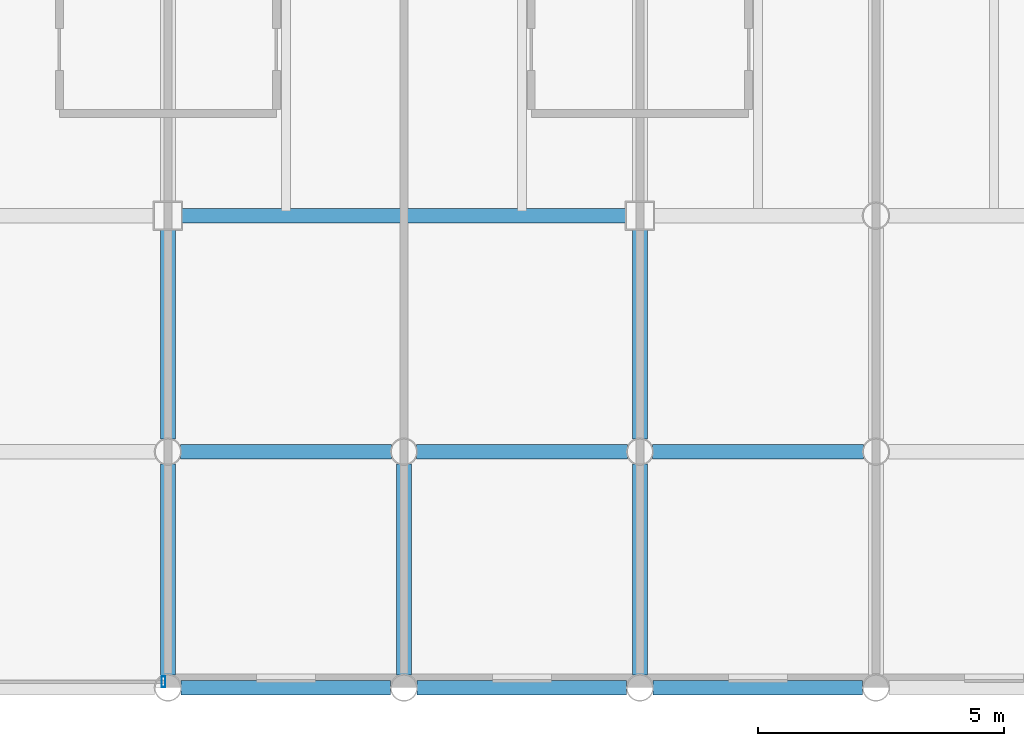
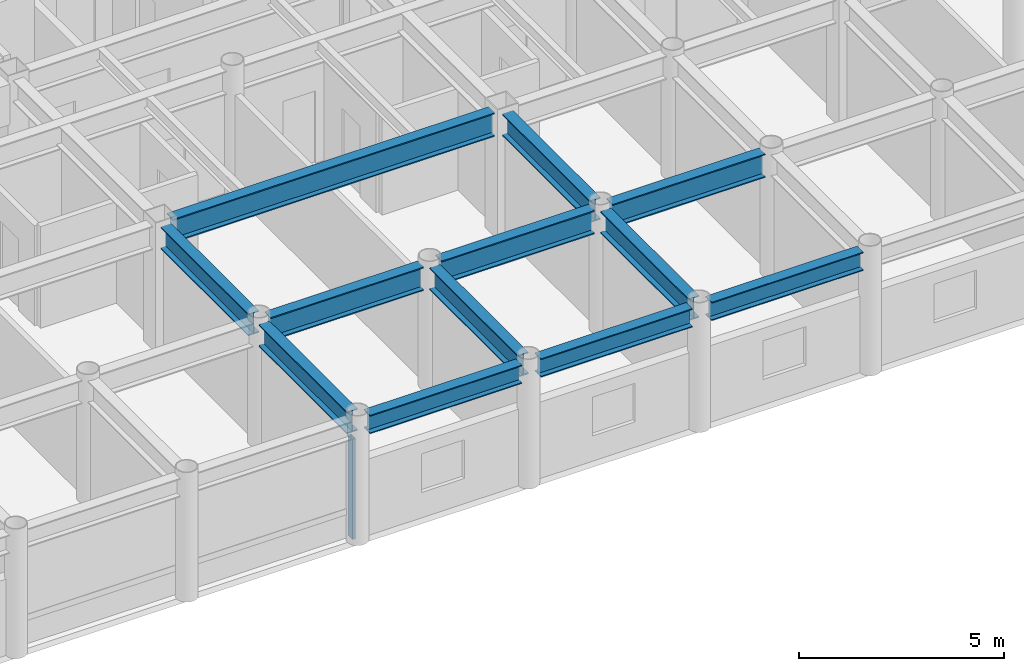
# One storey, part 8 of 22: 12 beams, 1 member, 1 element without a shape of its own.
"""IFC4 building model written with IfcOpenShell, lengths in metres."""

from ifc_helpers import new_model, si_unit, direction, frame, origin, origin_2d, place, context, subcontext, project, spatial, hollow_rectangle, i_section, extrude, material, layer, layer_set, material_profile, profile_set, type_object, element, aggregate, save


model = new_model("IFC4")

# Units and contexts
model_context = context("Model", 3, precision=1e-05, world=origin(), true_north=direction((0.0, 1.0)))
body_context = subcontext(model_context, "Body", "Model", "MODEL_VIEW")
ifc_project = project(units=[si_unit("LENGTHUNIT", "METRE"), si_unit("AREAUNIT", "SQUARE_METRE"), si_unit("VOLUMEUNIT", "CUBIC_METRE"), si_unit("PLANEANGLEUNIT", "RADIAN"), si_unit("MASSUNIT", "GRAM", prefix="KILO")], contexts=[model_context])

# Site, building, storey
site_placement = place(None, origin())
site = spatial("IfcSite", under=ifc_project, at=site_placement, CompositionType="ELEMENT")
building_placement = place(site_placement, origin())
building = spatial("IfcBuilding", under=site, at=building_placement, Name="Kallvorn Hotel Tower", CompositionType="ELEMENT")
storey_placement = place(building_placement, frame((0.0, 0.0, 199.199951171875)))
storey = spatial("IfcBuildingStorey", under=building, at=storey_placement, Name="L49", CompositionType="ELEMENT", Elevation=199.199951171875)

# Beams
ifc_material_1 = material(Name="Structural steel S355JR", Category="steel")
ifc_material_profile_1 = material_profile(ifc_material_1, i_section(OverallWidth=0.300048828125, OverallDepth=0.550048828125, WebThickness=0.014892578125, FlangeThickness=0.029052734375, at=origin_2d()), Name="HE 550 B")
ifc_profile_set_1 = profile_set([ifc_material_profile_1], Name="Structural steel S355JR")
beam_type_1 = type_object("IfcBeamType", Name="BM_HE550B", PredefinedType="SPANDREL", material=ifc_profile_set_1)
beam_1_placement = place(storey_placement, frame((5.069580078125, -24.0, 3.39501953125), z_axis=(1.0, 0.0, 0.0), x_axis=(0.0, 1.0, 0.0)))
element("IfcBeam", 1, at=beam_1_placement, inside=storey, type_object=beam_type_1, Name="L50 Perimeter Spandrel 157", PredefinedType="SPANDREL", context=body_context, shape_type="SweptSolid", body=[
    extrude(i_section(OverallWidth=0.300048828125, OverallDepth=0.550048828125, WebThickness=0.014892578125, FlangeThickness=0.029052734375, at=origin_2d()), origin(), (0.0, 0.0, 1.0), 4.260986328125),
])
beam_2_placement = place(storey_placement, frame((9.869384765625, -24.0, 3.39501953125), z_axis=(1.0, 0.0, 0.0), x_axis=(0.0, 1.0, 0.0)))
element("IfcBeam", 2, at=beam_2_placement, inside=storey, type_object=beam_type_1, Name="L50 Perimeter Spandrel 158", PredefinedType="SPANDREL", context=body_context, shape_type="SweptSolid", body=[
    extrude(i_section(OverallWidth=0.300048828125, OverallDepth=0.550048828125, WebThickness=0.014892578125, FlangeThickness=0.029052734375, at=origin_2d()), origin(), (0.0, 0.0, 1.0), 4.26123046875),
])
beam_3_placement = place(storey_placement, frame((14.66943359375, -24.0, 3.39501953125), z_axis=(1.0, 0.0, 0.0), x_axis=(0.0, 1.0, 0.0)))
element("IfcBeam", 3, at=beam_3_placement, inside=storey, type_object=beam_type_1, Name="L50 Perimeter Spandrel 159", PredefinedType="SPANDREL", context=body_context, shape_type="SweptSolid", body=[
    extrude(i_section(OverallWidth=0.300048828125, OverallDepth=0.550048828125, WebThickness=0.014892578125, FlangeThickness=0.029052734375, at=origin_2d()), origin(), (0.0, 0.0, 1.0), 4.260986328125),
])
ifc_material_2 = material(Name="Structural steel S355JR", Category="steel")
ifc_material_profile_2 = material_profile(ifc_material_2, i_section(OverallWidth=0.300048828125, OverallDepth=0.64990234375, WebThickness=0.01611328125, FlangeThickness=0.031005859375, at=origin_2d()), Name="HE 650 B")
ifc_profile_set_2 = profile_set([ifc_material_profile_2], Name="Structural steel S355JR")
beam_type_2 = type_object("IfcBeamType", Name="BM_HE650B", PredefinedType="BEAM", material=ifc_profile_set_2)
beam_4_placement = place(storey_placement, frame((4.800048828125, -23.74560546875, 3.344970703125), z_axis=(0.0, 1.0, 0.0), x_axis=(-1.0, 0.0, 0.0)))
element("IfcBeam", 4, at=beam_4_placement, inside=storey, type_object=beam_type_2, Name="L50 Primary Y-Girder 113", PredefinedType="BEAM", context=body_context, shape_type="SweptSolid", body=[
    extrude(i_section(OverallWidth=0.300048828125, OverallDepth=0.64990234375, WebThickness=0.01611328125, FlangeThickness=0.031005859375, at=origin_2d()), origin(), (0.0, 0.0, 1.0), 4.291015625),
])
beam_5_placement = place(storey_placement, frame((4.800048828125, -18.945556640625, 3.344970703125), z_axis=(0.0, 1.0, 0.0), x_axis=(-1.0, 0.0, 0.0)))
element("IfcBeam", 5, at=beam_5_placement, inside=storey, type_object=beam_type_2, Name="L50 Primary Y-Girder 114", PredefinedType="BEAM", context=body_context, shape_type="SweptSolid", body=[
    extrude(i_section(OverallWidth=0.300048828125, OverallDepth=0.64990234375, WebThickness=0.01611328125, FlangeThickness=0.031005859375, at=origin_2d()), origin(), (0.0, 0.0, 1.0), 4.2705078125),
])
for number, where, z_axis, x_axis, name in (
    (6, (9.60009765625, -23.74560546875, 3.344970703125), (0.0, 1.0, 0.0), (-1.0, 0.0, 0.0), "L50 Primary Y-Girder 118"),
    (7, (14.39990234375, -23.74560546875, 3.344970703125), (0.0, 1.0, 0.0), (-1.0, 0.0, 0.0), "L50 Primary Y-Girder 121"),
):
    element("IfcBeam", number, at=place(storey_placement, frame(where, z_axis=z_axis, x_axis=x_axis)), inside=storey, type_object=beam_type_2, Name=name, PredefinedType="BEAM", context=body_context, shape_type="SweptSolid", body=[
        extrude(i_section(OverallWidth=0.300048828125, OverallDepth=0.64990234375, WebThickness=0.01611328125, FlangeThickness=0.031005859375, at=origin_2d()), origin(), (0.0, 0.0, 1.0), 4.291015625),
    ])
beam_6_placement = place(storey_placement, frame((14.39990234375, -18.945556640625, 3.344970703125), z_axis=(0.0, 1.0, 0.0), x_axis=(-1.0, 0.0, 0.0)))
element("IfcBeam", 8, at=beam_6_placement, inside=storey, type_object=beam_type_2, Name="L50 Primary Y-Girder 122", PredefinedType="BEAM", context=body_context, shape_type="SweptSolid", body=[
    extrude(i_section(OverallWidth=0.300048828125, OverallDepth=0.64990234375, WebThickness=0.01611328125, FlangeThickness=0.031005859375, at=origin_2d()), origin(), (0.0, 0.0, 1.0), 4.2705078125),
])
ifc_material_3 = material(Name="Structural steel S355JR", Category="steel")
ifc_material_profile_3 = material_profile(ifc_material_3, i_section(OverallWidth=0.300048828125, OverallDepth=0.699951171875, WebThickness=0.01708984375, FlangeThickness=0.031982421875, at=origin_2d()), Name="HE 700 B")
ifc_profile_set_3 = profile_set([ifc_material_profile_3], Name="Structural steel S355JR")
beam_type_3 = type_object("IfcBeamType", Name="BM_HE700B", PredefinedType="BEAM", material=ifc_profile_set_3)
for number, where, z_axis, x_axis, name in (
    (9, (5.054443359375, -19.199951171875, 3.320068359375), (1.0, 0.0, 0.0), (0.0, 1.0, 0.0), "L50 Primary X-Girder 08"),
    (10, (9.8544921875, -19.199951171875, 3.320068359375), (1.0, 0.0, 0.0), (0.0, 1.0, 0.0), "L50 Primary X-Girder 09"),
    (11, (14.654541015625, -19.199951171875, 3.320068359375), (1.0, 0.0, 0.0), (0.0, 1.0, 0.0), "L50 Primary X-Girder 10"),
):
    element("IfcBeam", number, at=place(storey_placement, frame(where, z_axis=z_axis, x_axis=x_axis)), inside=storey, type_object=beam_type_3, Name=name, PredefinedType="BEAM", context=body_context, shape_type="SweptSolid", body=[
        extrude(i_section(OverallWidth=0.300048828125, OverallDepth=0.699951171875, WebThickness=0.01708984375, FlangeThickness=0.031982421875, at=origin_2d()), origin(), (0.0, 0.0, 1.0), 4.291015625),
    ])
beam_7_placement = place(storey_placement, frame((5.074951171875, -14.39990234375, 3.320068359375), z_axis=(1.0, 0.0, 0.0), x_axis=(0.0, 1.0, 0.0)))
element("IfcBeam", 12, at=beam_7_placement, inside=storey, type_object=beam_type_3, Name="L50 Primary X-Girder 19", PredefinedType="BEAM", context=body_context, shape_type="SweptSolid", body=[
    extrude(i_section(OverallWidth=0.300048828125, OverallDepth=0.699951171875, WebThickness=0.01708984375, FlangeThickness=0.031982421875, at=origin_2d()), origin(), (0.0, 0.0, 1.0), 9.050048828125),
])

# Curtain wall, member
ifc_material_4 = material(Name="Thermally broken black-anodised aluminium AA 6063-T6", Category="aluminium")
ifc_layer = layer(ifc_material_4, 0.22998046875)
ifc_layer_set = layer_set([ifc_layer], Name="CW_SYS_5_HOTEL_HIGH")
curtain_wall_type = type_object("IfcCurtainWallType", Name="CW_SYS_5_HOTEL_HIGH", PredefinedType="USERDEFINED", material=ifc_layer_set)
curtain_wall_placement = place(storey_placement, origin())
curtain_wall = element("IfcCurtainWall", 13, at=curtain_wall_placement, inside=storey, type_object=curtain_wall_type, Name="L49 Dark-Glass Curtain Wall CW-L49-SC", ObjectType="UNITISED CURTAIN WALL", PredefinedType="USERDEFINED")
ifc_material_5 = material(Name="Thermally broken black-anodised aluminium AA 6063-T6", Category="aluminium")
ifc_material_profile_4 = material_profile(ifc_material_5, hollow_rectangle(XDim=0.080078125, YDim=0.219970703125, WallThickness=0.0048828125, at=origin_2d()), Name="MUL 220x80")
ifc_profile_set_4 = profile_set([ifc_material_profile_4], Name="Thermally broken black-anodised aluminium AA 6063-T6")
member_type = type_object("IfcMemberType", Name="CW_MULLION_220x80", PredefinedType="MULLION", material=ifc_profile_set_4)
member_placement = place(storey_placement, frame((4.7099609375, -23.8798828125, 0.02001953125), z_axis=(0.0, 0.0, 1.0), x_axis=(1.0, 0.0, 0.0)))
member = element("IfcMember", 14, at=member_placement, type_object=member_type, Name="CW-L49-SC Mullion 02", PredefinedType="MULLION", context=body_context, shape_type="SweptSolid", body=[
    extrude(hollow_rectangle(XDim=0.080078125, YDim=0.219970703125, WallThickness=0.0048828125, at=origin_2d()), origin(), (0.0, 0.0, 1.0), 2.97998046875),
])
aggregate(curtain_wall, [member])

save(model, "model.ifc")
